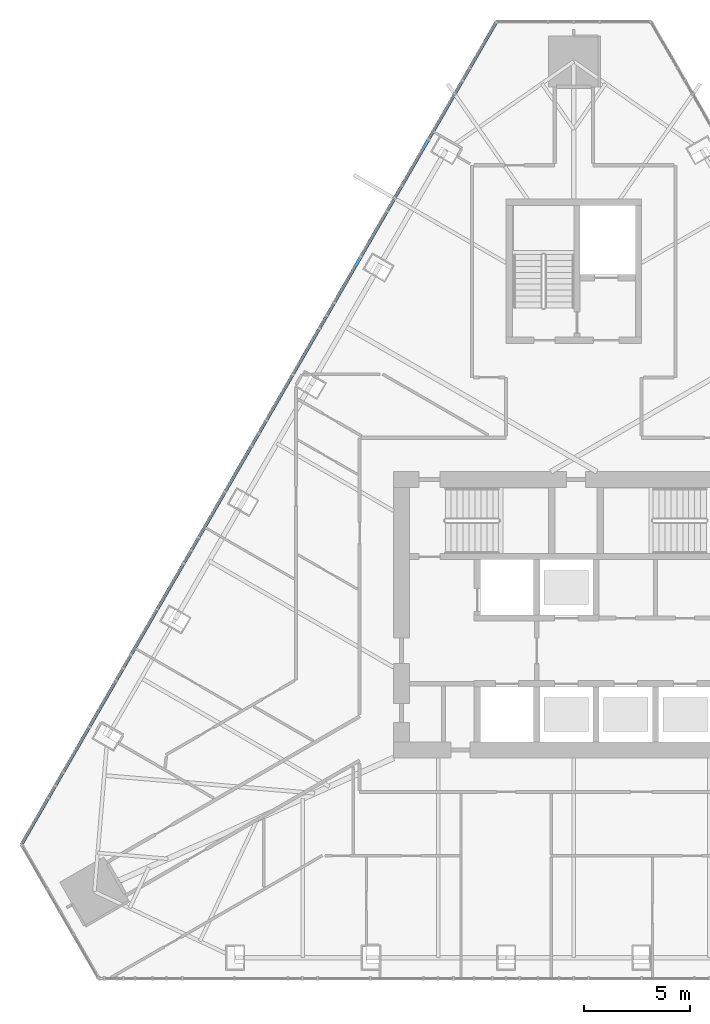
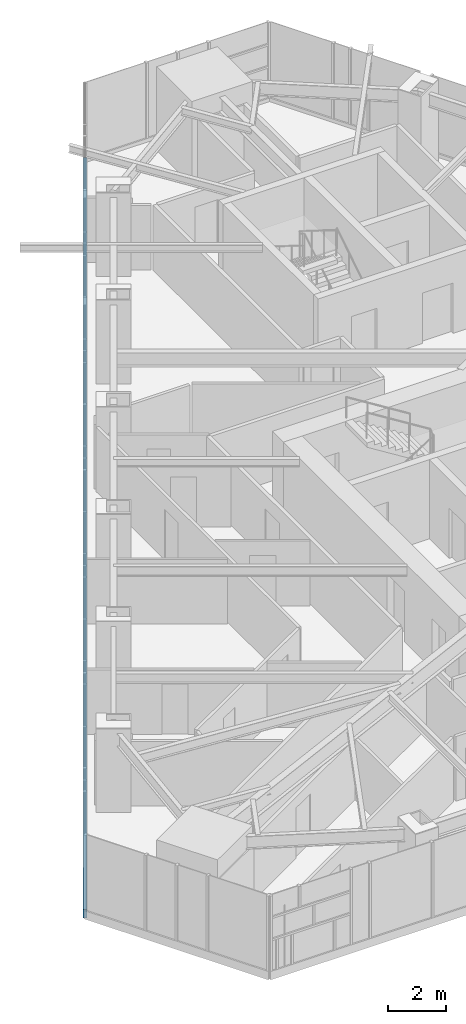
# One storey, part 6 of 26: 1 member, 1 element without a shape of its own.
"""IFC4 building model written with IfcOpenShell, lengths in metres."""

from ifc_helpers import new_model, si_unit, direction, frame, origin, origin_2d, place, context, subcontext, project, spatial, rectangle, extrude, material, layer, layer_set, material_profile, profile_set, type_object, element, aggregate, save


model = new_model("IFC4")

# Units and contexts
model_context = context("Model", 3, precision=1e-05, world=origin(), true_north=direction((0.0, 1.0)))
body_context = subcontext(model_context, "Body", "Model", "MODEL_VIEW")
ifc_project = project(units=[si_unit("LENGTHUNIT", "METRE"), si_unit("AREAUNIT", "SQUARE_METRE"), si_unit("VOLUMEUNIT", "CUBIC_METRE"), si_unit("PLANEANGLEUNIT", "RADIAN"), si_unit("MASSUNIT", "GRAM", prefix="KILO")], contexts=[model_context])

# Site, building, storey
site_placement = place(None, origin())
site = spatial("IfcSite", under=ifc_project, at=site_placement, CompositionType="ELEMENT")
building_placement = place(site_placement, origin())
building = spatial("IfcBuilding", under=site, at=building_placement, Name="Firuza Gate Tower and Library", CompositionType="ELEMENT")
storey_placement = place(building_placement, frame((0.0, 0.0, 288.10009765625)))
storey = spatial("IfcBuildingStorey", under=building, at=storey_placement, Name="L69", CompositionType="ELEMENT", Elevation=288.10009765625)

# Curtain wall, member
ifc_material_1 = material(Name="Aluminium 6063-T6", Category="aluminium")
ifc_layer = layer(ifc_material_1, 0.14990234375)
ifc_layer_set = layer_set([ifc_layer], Name="Unitised curtain wall, residences")
curtain_wall_type = type_object("IfcCurtainWallType", Name="Unitised curtain wall, residences", PredefinedType="NOTDEFINED", material=ifc_layer_set)
curtain_wall_placement = place(storey_placement, origin())
curtain_wall = element("IfcCurtainWall", 1, at=curtain_wall_placement, inside=storey, type_object=curtain_wall_type, Name="CW3 L69 W face", PredefinedType="NOTDEFINED")
ifc_material_2 = material(Name="Aluminium 6063-T6", Category="aluminium")
ifc_material_profile = material_profile(ifc_material_2, rectangle(XDim=0.14990234375, YDim=0.35009765625, at=origin_2d()))
ifc_profile_set = profile_set([ifc_material_profile], Name="Aluminium 6063-T6")
member_type = type_object("IfcMemberType", Name="Curtain wall transom 350x150", PredefinedType="USERDEFINED", material=ifc_profile_set)
member_placement = place(storey_placement, frame((71.356689453125, 102.9755859375, -0.025146484375), z_axis=(-0.500002271502, -0.866024092328, 0.0), x_axis=(0.866024092328, -0.500002271502, 0.0)))
member = element("IfcMember", 2, at=member_placement, type_object=member_type, Name="Transom", ObjectType="TRANSOM", PredefinedType="USERDEFINED", context=body_context, shape_type="SweptSolid", body=[
    extrude(rectangle(XDim=0.14990234375, YDim=0.35009765625, at=origin_2d()), origin(), (0.0, 0.0, 1.0), 44.811767578125),
])
aggregate(curtain_wall, [member])

save(model, "model.ifc")
